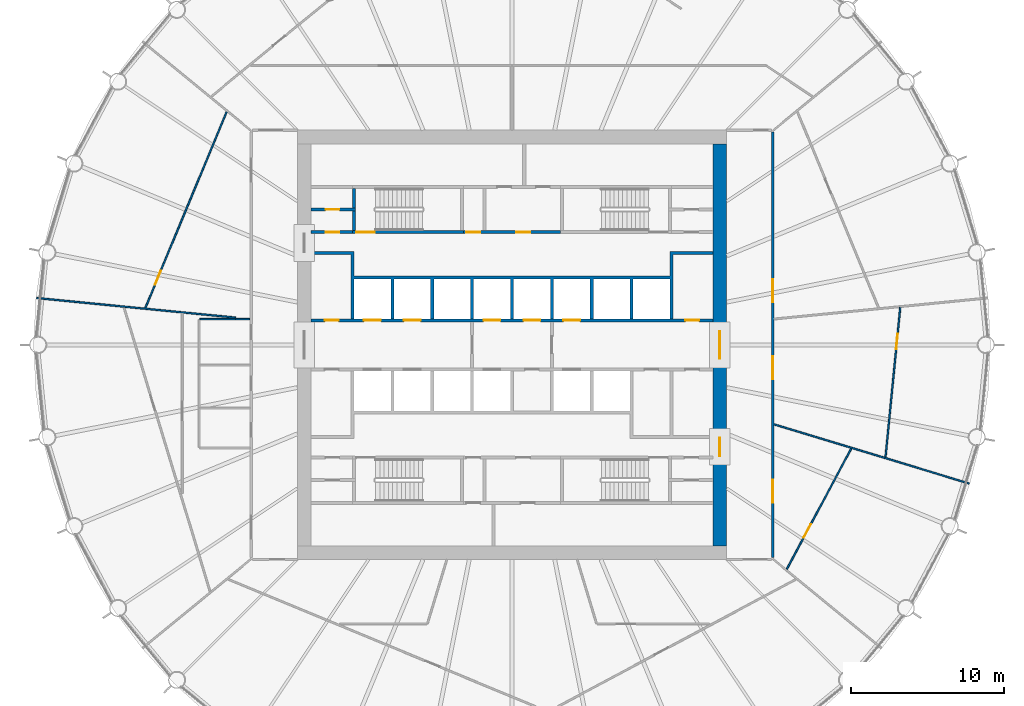
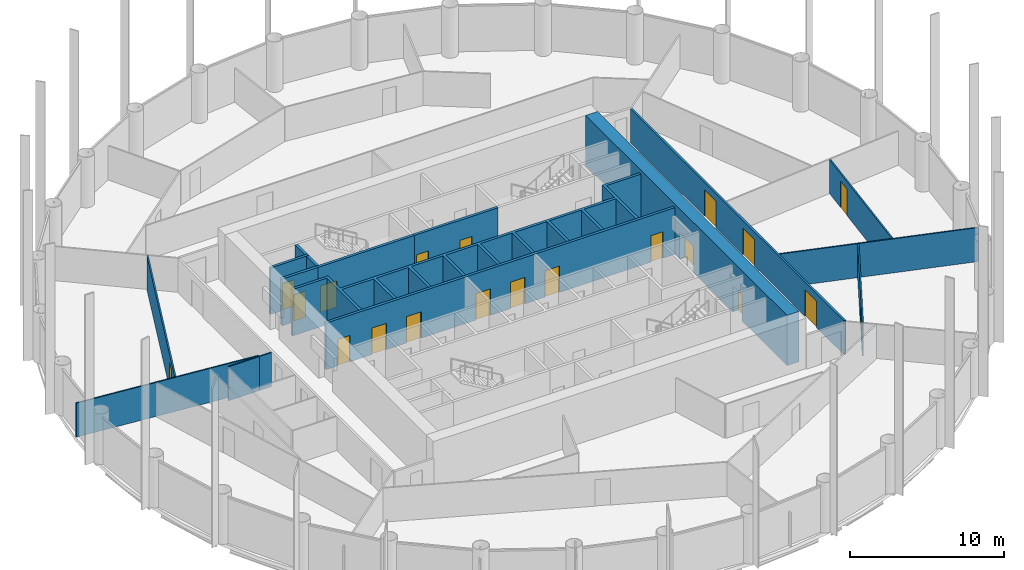
# One storey, part 6 of 9: 20 doors, 17 walls, 20 openings.
"""IFC4 building model written with IfcOpenShell, lengths in metres."""

from ifc_helpers import new_model, si_unit, direction, frame, frame_2d, origin, place, context, subcontext, project, spatial, polyline, rectangle, outline, extrude, material, layer, layer_set, type_object, element, fill, save


model = new_model("IFC4")

# Units and contexts
model_context = context("Model", 3, precision=1e-05, world=origin(), true_north=direction((0.0, 1.0)))
body_context = subcontext(model_context, "Body", "Model", "MODEL_VIEW")
ifc_project = project(units=[si_unit("LENGTHUNIT", "METRE"), si_unit("AREAUNIT", "SQUARE_METRE"), si_unit("VOLUMEUNIT", "CUBIC_METRE"), si_unit("PLANEANGLEUNIT", "RADIAN"), si_unit("MASSUNIT", "GRAM", prefix="KILO")], contexts=[model_context])

# Site, building, storey
site_placement = place(None, origin())
site = spatial("IfcSite", under=ifc_project, at=site_placement, CompositionType="ELEMENT")
building_placement = place(site_placement, origin())
building = spatial("IfcBuilding", under=site, at=building_placement, Name="Corvane Civic Tower", CompositionType="ELEMENT")
storey_placement = place(building_placement, frame((0.0, 0.0, 188.0)))
storey = spatial("IfcBuildingStorey", under=building, at=storey_placement, Name="L44", CompositionType="ELEMENT", Elevation=188.0)

# Wall, openings, doors
ifc_material_1 = material(Name="Concrete C60/75", Category="concrete")
ifc_layer_1 = layer(ifc_material_1, 0.89990234375)
ifc_layer_set_1 = layer_set([ifc_layer_1], Name="Concrete C60/75")
wall_type_1 = type_object("IfcWallType", Name="CORE WALL 900 C60/75", PredefinedType="SHEAR", material=ifc_layer_set_1)
wall_1_placement = place(storey_placement, frame((13.550048828125, -13.10009765625, 0.0), z_axis=(0.0, 0.0, 1.0), x_axis=(0.0, 1.0, 0.0)))
wall_1 = element("IfcWall", 1, at=wall_1_placement, inside=storey, type_object=wall_type_1, Name="W-L44-core-E", PredefinedType="SHEAR", context=body_context, shape_type="SweptSolid", body=[
    extrude(rectangle(XDim=26.2001953125, YDim=0.89990234375, at=frame_2d((13.10009765625, 0.0))), origin(), (0.0, 0.0, 1.0), 4.0),
])
opening_1_placement = place(wall_1_placement, frame((12.199951171875, 0.0, 0.0)))
opening_1 = element("IfcOpeningElement", 2, at=opening_1_placement, cuts=wall_1, Name="Opening L44.C30", PredefinedType="OPENING", context=body_context, shape_type="SweptSolid", body=[
    extrude(rectangle(XDim=1.800048828125, YDim=2.10009765625, at=frame_2d((0.89990234375, 1.050048828125))), frame((0.0, 0.4599609375, 0.0), z_axis=(0.0, -1.0, 0.0), x_axis=(1.0, 0.0, 0.0)), (0.0, 0.0, 1.0), 0.919921875),
])
opening_2_placement = place(wall_1_placement, frame((5.85009765625, 0.0, 0.0)))
opening_2 = element("IfcOpeningElement", 3, at=opening_2_placement, cuts=wall_1, Name="Opening L44.C32", PredefinedType="OPENING", context=body_context, shape_type="SweptSolid", body=[
    extrude(rectangle(XDim=1.199951171875, YDim=2.10009765625, at=frame_2d((0.60009765625, 1.050048828125))), frame((0.0, 0.4599609375, 0.0), z_axis=(0.0, -1.0, 0.0), x_axis=(1.0, 0.0, 0.0)), (0.0, 0.0, 1.0), 0.919921875),
])
ifc_material_2 = material(Name="Steel fire door leaf", Category="steel")
door_type_1 = type_object("IfcDoorType", Name="CR-DOOR-CORE-1800", OperationType="DOUBLE_DOOR_SINGLE_SWING", PredefinedType="DOOR", material=ifc_material_2)
door_1_placement = place(opening_1_placement, origin())
door_1 = element("IfcDoor", 4, at=door_1_placement, inside=storey, type_object=door_type_1, Name="L44 door", OperationType="DOUBLE_DOOR_SINGLE_SWING", OverallHeight=2.10009765625, OverallWidth=1.800048828125, PredefinedType="DOOR", context=body_context, shape_type="SweptSolid", body=[
    extrude(rectangle(XDim=1.800048828125, YDim=2.10009765625, at=frame_2d((0.89990234375, 1.050048828125))), frame((0.0, 0.02490234375, 0.0), z_axis=(0.0, -1.0, 0.0), x_axis=(1.0, 0.0, 0.0)), (0.0, 0.0, 1.0), 0.050048828125),
])
fill(opening_1, door_1)
door_2_placement = place(opening_2_placement, origin())
door_2 = element("IfcDoor", 5, at=door_2_placement, inside=storey, type_object=door_type_1, Name="L44 door", OperationType="DOUBLE_DOOR_SINGLE_SWING", OverallHeight=2.10009765625, OverallWidth=1.199951171875, PredefinedType="DOOR", context=body_context, shape_type="SweptSolid", body=[
    extrude(rectangle(XDim=1.199951171875, YDim=2.10009765625, at=frame_2d((0.60009765625, 1.050048828125))), frame((0.0, 0.02490234375, 0.0), z_axis=(0.0, -1.0, 0.0), x_axis=(1.0, 0.0, 0.0)), (0.0, 0.0, 1.0), 0.050048828125),
])
fill(opening_2, door_2)

ifc_material_3 = material(Name="Concrete C30/37", Category="concrete")
ifc_layer_2 = layer(ifc_material_3, 0.199951171875)
ifc_layer_set_2 = layer_set([ifc_layer_2], Name="Concrete C30/37")
wall_type_2 = type_object("IfcWallType", Name="CR-WALL-200", PredefinedType="PARTITIONING", material=ifc_layer_set_2)
wall_2_placement = place(storey_placement, frame((-13.10009765625, 1.60009765625, 0.0), z_axis=(0.0, 0.0, 1.0), x_axis=(1.0, 0.0, 0.0)))
wall_2 = element("IfcWall", 6, at=wall_2_placement, inside=storey, type_object=wall_type_2, Name="L44 lift shaft wall", PredefinedType="PARTITIONING", context=body_context, shape_type="SweptSolid", body=[
    extrude(rectangle(XDim=26.2001953125, YDim=0.199951171875, at=frame_2d((13.10009765625, 0.0))), origin(), (0.0, 0.0, 1.0), 3.699951171875),
])
opening_3_placement = place(wall_2_placement, frame((3.449951171875, 0.0, 0.0)))
opening_3 = element("IfcOpeningElement", 7, at=opening_3_placement, cuts=wall_2, Name="Opening LD", PredefinedType="OPENING", context=body_context, shape_type="SweptSolid", body=[
    extrude(rectangle(XDim=1.10009765625, YDim=2.10009765625, at=frame_2d((0.550048828125, 1.050048828125))), frame((0.0, 0.10986328125, 0.0), z_axis=(0.0, -1.0, 0.0), x_axis=(1.0, 0.0, 0.0)), (0.0, 0.0, 1.0), 0.219970703125),
])
opening_4_placement = place(wall_2_placement, frame((6.050048828125, 0.0, 0.0)))
opening_4 = element("IfcOpeningElement", 8, at=opening_4_placement, cuts=wall_2, Name="Opening LD", PredefinedType="OPENING", context=body_context, shape_type="SweptSolid", body=[
    extrude(rectangle(XDim=1.10009765625, YDim=2.10009765625, at=frame_2d((0.550048828125, 1.050048828125))), frame((0.0, 0.10986328125, 0.0), z_axis=(0.0, -1.0, 0.0), x_axis=(1.0, 0.0, 0.0)), (0.0, 0.0, 1.0), 0.219970703125),
])
opening_5_placement = place(wall_2_placement, frame((11.25, 0.0, 0.0)))
opening_5 = element("IfcOpeningElement", 9, at=opening_5_placement, cuts=wall_2, Name="Opening LD", PredefinedType="OPENING", context=body_context, shape_type="SweptSolid", body=[
    extrude(rectangle(XDim=1.10009765625, YDim=2.10009765625, at=frame_2d((0.550048828125, 1.050048828125))), frame((0.0, 0.10986328125, 0.0), z_axis=(0.0, -1.0, 0.0), x_axis=(1.0, 0.0, 0.0)), (0.0, 0.0, 1.0), 0.219970703125),
])
opening_6_placement = place(wall_2_placement, frame((13.85009765625, 0.0, 0.0)))
opening_6 = element("IfcOpeningElement", 10, at=opening_6_placement, cuts=wall_2, Name="Opening LD", PredefinedType="OPENING", context=body_context, shape_type="SweptSolid", body=[
    extrude(rectangle(XDim=1.10009765625, YDim=2.10009765625, at=frame_2d((0.550048828125, 1.050048828125))), frame((0.0, 0.10986328125, 0.0), z_axis=(0.0, -1.0, 0.0), x_axis=(1.0, 0.0, 0.0)), (0.0, 0.0, 1.0), 0.219970703125),
])
opening_7_placement = place(wall_2_placement, frame((16.449951171875, 0.0, 0.0)))
opening_7 = element("IfcOpeningElement", 11, at=opening_7_placement, cuts=wall_2, Name="Opening LD", PredefinedType="OPENING", context=body_context, shape_type="SweptSolid", body=[
    extrude(rectangle(XDim=1.10009765625, YDim=2.10009765625, at=frame_2d((0.550048828125, 1.050048828125))), frame((0.0, 0.10986328125, 0.0), z_axis=(0.0, -1.0, 0.0), x_axis=(1.0, 0.0, 0.0)), (0.0, 0.0, 1.0), 0.219970703125),
])
opening_8_placement = place(wall_2_placement, frame((0.89990234375, 0.0, 0.0)))
opening_8 = element("IfcOpeningElement", 12, at=opening_8_placement, cuts=wall_2, Name="Opening L44.C01", PredefinedType="OPENING", context=body_context, shape_type="SweptSolid", body=[
    extrude(rectangle(XDim=0.89990234375, YDim=2.10009765625, at=frame_2d((0.449951171875, 1.050048828125))), frame((0.0, 0.10986328125, 0.0), z_axis=(0.0, -1.0, 0.0), x_axis=(1.0, 0.0, 0.0)), (0.0, 0.0, 1.0), 0.219970703125),
])
opening_9_placement = place(wall_2_placement, frame((24.39990234375, 0.0, 0.0)))
opening_9 = element("IfcOpeningElement", 13, at=opening_9_placement, cuts=wall_2, Name="Opening L44.C02", PredefinedType="OPENING", context=body_context, shape_type="SweptSolid", body=[
    extrude(rectangle(XDim=0.89990234375, YDim=2.10009765625, at=frame_2d((0.449951171875, 1.050048828125))), frame((0.0, 0.10986328125, 0.0), z_axis=(0.0, -1.0, 0.0), x_axis=(1.0, 0.0, 0.0)), (0.0, 0.0, 1.0), 0.219970703125),
])
ifc_material_4 = material(Name="Steel fire door leaf", Category="steel")
door_type_2 = type_object("IfcDoorType", Name="CR-DOOR-900", OperationType="SINGLE_SWING_LEFT", PredefinedType="DOOR", material=ifc_material_4)
door_3_placement = place(opening_8_placement, origin())
door_3 = element("IfcDoor", 14, at=door_3_placement, inside=storey, type_object=door_type_2, Name="L44 door", OperationType="SINGLE_SWING_LEFT", OverallHeight=2.10009765625, OverallWidth=0.89990234375, PredefinedType="DOOR", context=body_context, shape_type="SweptSolid", body=[
    extrude(rectangle(XDim=0.89990234375, YDim=2.10009765625, at=frame_2d((0.449951171875, 1.050048828125))), frame((0.0, 0.02490234375, 0.0), z_axis=(0.0, -1.0, 0.0), x_axis=(1.0, 0.0, 0.0)), (0.0, 0.0, 1.0), 0.050048828125),
])
fill(opening_8, door_3)
door_4_placement = place(opening_9_placement, origin())
door_4 = element("IfcDoor", 15, at=door_4_placement, inside=storey, type_object=door_type_2, Name="L44 door", OperationType="SINGLE_SWING_LEFT", OverallHeight=2.10009765625, OverallWidth=0.89990234375, PredefinedType="DOOR", context=body_context, shape_type="SweptSolid", body=[
    extrude(rectangle(XDim=0.89990234375, YDim=2.10009765625, at=frame_2d((0.449951171875, 1.050048828125))), frame((0.0, 0.02490234375, 0.0), z_axis=(0.0, -1.0, 0.0), x_axis=(1.0, 0.0, 0.0)), (0.0, 0.0, 1.0), 0.050048828125),
])
fill(opening_9, door_4)
ifc_material_5 = material(Name="Stainless steel 316 door leaves", Category="steel")
door_type_3 = type_object("IfcDoorType", Name="LD", OperationType="DOUBLE_DOOR_SLIDING", PredefinedType="DOOR", material=ifc_material_5)
door_5_placement = place(opening_3_placement, origin())
door_5 = element("IfcDoor", 16, at=door_5_placement, inside=storey, type_object=door_type_3, Name="L44 landing door", OperationType="DOUBLE_DOOR_SLIDING", OverallHeight=2.10009765625, OverallWidth=1.10009765625, PredefinedType="DOOR", context=body_context, shape_type="SweptSolid", body=[
    extrude(rectangle(XDim=1.10009765625, YDim=2.10009765625, at=frame_2d((0.550048828125, 1.050048828125))), frame((0.0, 0.02490234375, 0.0), z_axis=(0.0, -1.0, 0.0), x_axis=(1.0, 0.0, 0.0)), (0.0, 0.0, 1.0), 0.050048828125),
])
fill(opening_3, door_5)
door_6_placement = place(opening_4_placement, origin())
door_6 = element("IfcDoor", 17, at=door_6_placement, inside=storey, type_object=door_type_3, Name="L44 landing door", OperationType="DOUBLE_DOOR_SLIDING", OverallHeight=2.10009765625, OverallWidth=1.10009765625, PredefinedType="DOOR", context=body_context, shape_type="SweptSolid", body=[
    extrude(rectangle(XDim=1.10009765625, YDim=2.10009765625, at=frame_2d((0.550048828125, 1.050048828125))), frame((0.0, 0.02490234375, 0.0), z_axis=(0.0, -1.0, 0.0), x_axis=(1.0, 0.0, 0.0)), (0.0, 0.0, 1.0), 0.050048828125),
])
fill(opening_4, door_6)
door_7_placement = place(opening_5_placement, origin())
door_7 = element("IfcDoor", 18, at=door_7_placement, inside=storey, type_object=door_type_3, Name="L44 landing door", OperationType="DOUBLE_DOOR_SLIDING", OverallHeight=2.10009765625, OverallWidth=1.10009765625, PredefinedType="DOOR", context=body_context, shape_type="SweptSolid", body=[
    extrude(rectangle(XDim=1.10009765625, YDim=2.10009765625, at=frame_2d((0.550048828125, 1.050048828125))), frame((0.0, 0.02490234375, 0.0), z_axis=(0.0, -1.0, 0.0), x_axis=(1.0, 0.0, 0.0)), (0.0, 0.0, 1.0), 0.050048828125),
])
fill(opening_5, door_7)
door_8_placement = place(opening_6_placement, origin())
door_8 = element("IfcDoor", 19, at=door_8_placement, inside=storey, type_object=door_type_3, Name="L44 landing door", OperationType="DOUBLE_DOOR_SLIDING", OverallHeight=2.10009765625, OverallWidth=1.10009765625, PredefinedType="DOOR", context=body_context, shape_type="SweptSolid", body=[
    extrude(rectangle(XDim=1.10009765625, YDim=2.10009765625, at=frame_2d((0.550048828125, 1.050048828125))), frame((0.0, 0.02490234375, 0.0), z_axis=(0.0, -1.0, 0.0), x_axis=(1.0, 0.0, 0.0)), (0.0, 0.0, 1.0), 0.050048828125),
])
fill(opening_6, door_8)
door_9_placement = place(opening_7_placement, origin())
door_9 = element("IfcDoor", 20, at=door_9_placement, inside=storey, type_object=door_type_3, Name="L44 landing door", OperationType="DOUBLE_DOOR_SLIDING", OverallHeight=2.10009765625, OverallWidth=1.10009765625, PredefinedType="DOOR", context=body_context, shape_type="SweptSolid", body=[
    extrude(rectangle(XDim=1.10009765625, YDim=2.10009765625, at=frame_2d((0.550048828125, 1.050048828125))), frame((0.0, 0.02490234375, 0.0), z_axis=(0.0, -1.0, 0.0), x_axis=(1.0, 0.0, 0.0)), (0.0, 0.0, 1.0), 0.050048828125),
])
fill(opening_7, door_9)

# Wall, opening, door
wall_3_placement = place(storey_placement, frame((-13.10009765625, 7.35009765625, 0.0), z_axis=(0.0, 0.0, 1.0), x_axis=(1.0, 0.0, 0.0)))
wall_3 = element("IfcWall", 21, at=wall_3_placement, inside=storey, type_object=wall_type_2, Name="L44 core partition wall", PredefinedType="PARTITIONING", context=body_context, shape_type="SweptSolid", body=[
    extrude(rectangle(XDim=2.7001953125, YDim=0.199951171875, at=frame_2d((1.35009765625, 0.0))), origin(), (0.0, 0.0, 1.0), 3.699951171875),
])
opening_10_placement = place(wall_3_placement, frame((0.949951171875, 0.0, 0.0)))
opening_10 = element("IfcOpeningElement", 22, at=opening_10_placement, cuts=wall_3, Name="Opening L44.C15", PredefinedType="OPENING", context=body_context, shape_type="SweptSolid", body=[
    extrude(rectangle(XDim=0.89990234375, YDim=2.10009765625, at=frame_2d((0.449951171875, 1.050048828125))), frame((0.0, 0.10986328125, 0.0), z_axis=(0.0, -1.0, 0.0), x_axis=(1.0, 0.0, 0.0)), (0.0, 0.0, 1.0), 0.219970703125),
])
door_10_placement = place(opening_10_placement, origin())
door_10 = element("IfcDoor", 23, at=door_10_placement, inside=storey, type_object=door_type_2, Name="L44 door", OperationType="SINGLE_SWING_LEFT", OverallHeight=2.10009765625, OverallWidth=0.89990234375, PredefinedType="DOOR", context=body_context, shape_type="SweptSolid", body=[
    extrude(rectangle(XDim=0.89990234375, YDim=2.10009765625, at=frame_2d((0.449951171875, 1.050048828125))), frame((0.0, 0.02490234375, 0.0), z_axis=(0.0, -1.0, 0.0), x_axis=(1.0, 0.0, 0.0)), (0.0, 0.0, 1.0), 0.050048828125),
])
fill(opening_10, door_10)

# Wall, openings, doors
wall_4_placement = place(storey_placement, frame((-3.14990234375, 7.35009765625, 0.0), z_axis=(0.0, 0.0, 1.0), x_axis=(1.0, 0.0, 0.0)))
wall_4 = element("IfcWall", 24, at=wall_4_placement, inside=storey, type_object=wall_type_2, Name="L44 core partition wall", PredefinedType="PARTITIONING", context=body_context, shape_type="SweptSolid", body=[
    extrude(rectangle(XDim=6.2998046875, YDim=0.199951171875, at=frame_2d((3.14990234375, 0.0))), origin(), (0.0, 0.0, 1.0), 3.699951171875),
])
opening_11_placement = place(wall_4_placement, frame((0.175048828125, 0.0, 0.0)))
opening_11 = element("IfcOpeningElement", 25, at=opening_11_placement, cuts=wall_4, Name="Opening L44.C07", PredefinedType="OPENING", context=body_context, shape_type="SweptSolid", body=[
    extrude(rectangle(XDim=0.89990234375, YDim=2.10009765625, at=frame_2d((0.449951171875, 1.050048828125))), frame((0.0, 0.10986328125, 0.0), z_axis=(0.0, -1.0, 0.0), x_axis=(1.0, 0.0, 0.0)), (0.0, 0.0, 1.0), 0.219970703125),
])
opening_12_placement = place(wall_4_placement, frame((3.425048828125, 0.0, 0.0)))
opening_12 = element("IfcOpeningElement", 26, at=opening_12_placement, cuts=wall_4, Name="Opening L44.C08", PredefinedType="OPENING", context=body_context, shape_type="SweptSolid", body=[
    extrude(rectangle(XDim=0.89990234375, YDim=2.10009765625, at=frame_2d((0.449951171875, 1.050048828125))), frame((0.0, 0.10986328125, 0.0), z_axis=(0.0, -1.0, 0.0), x_axis=(1.0, 0.0, 0.0)), (0.0, 0.0, 1.0), 0.219970703125),
])
door_11_placement = place(opening_11_placement, origin())
door_11 = element("IfcDoor", 27, at=door_11_placement, inside=storey, type_object=door_type_2, Name="L44 door", OperationType="SINGLE_SWING_LEFT", OverallHeight=2.10009765625, OverallWidth=0.89990234375, PredefinedType="DOOR", context=body_context, shape_type="SweptSolid", body=[
    extrude(rectangle(XDim=0.89990234375, YDim=2.10009765625, at=frame_2d((0.449951171875, 1.050048828125))), frame((0.0, 0.02490234375, 0.0), z_axis=(0.0, -1.0, 0.0), x_axis=(1.0, 0.0, 0.0)), (0.0, 0.0, 1.0), 0.050048828125),
])
fill(opening_11, door_11)
door_12_placement = place(opening_12_placement, origin())
door_12 = element("IfcDoor", 28, at=door_12_placement, inside=storey, type_object=door_type_2, Name="L44 door", OperationType="SINGLE_SWING_LEFT", OverallHeight=2.10009765625, OverallWidth=0.89990234375, PredefinedType="DOOR", context=body_context, shape_type="SweptSolid", body=[
    extrude(rectangle(XDim=0.89990234375, YDim=2.10009765625, at=frame_2d((0.449951171875, 1.050048828125))), frame((0.0, 0.02490234375, 0.0), z_axis=(0.0, -1.0, 0.0), x_axis=(1.0, 0.0, 0.0)), (0.0, 0.0, 1.0), 0.050048828125),
])
fill(opening_12, door_12)

# Wall, opening, door
wall_5_placement = place(storey_placement, frame((-13.10009765625, 8.824951171875, 0.0), z_axis=(0.0, 0.0, 1.0), x_axis=(1.0, 0.0, 0.0)))
wall_5 = element("IfcWall", 29, at=wall_5_placement, inside=storey, type_object=wall_type_2, Name="L44 partition wall", PredefinedType="PARTITIONING", context=body_context, shape_type="SweptSolid", body=[
    extrude(rectangle(XDim=2.900146484375, YDim=0.199951171875, at=frame_2d((1.4501953125, 0.0))), origin(), (0.0, 0.0, 1.0), 3.699951171875),
])
opening_13_placement = place(wall_5_placement, frame((0.949951171875, 0.0, 0.0)))
opening_13 = element("IfcOpeningElement", 30, at=opening_13_placement, cuts=wall_5, Name="Opening L44.C16", PredefinedType="OPENING", context=body_context, shape_type="SweptSolid", body=[
    extrude(rectangle(XDim=0.89990234375, YDim=2.10009765625, at=frame_2d((0.449951171875, 1.050048828125))), frame((0.0, 0.10986328125, 0.0), z_axis=(0.0, -1.0, 0.0), x_axis=(1.0, 0.0, 0.0)), (0.0, 0.0, 1.0), 0.219970703125),
])
door_13_placement = place(opening_13_placement, origin())
door_13 = element("IfcDoor", 31, at=door_13_placement, inside=storey, type_object=door_type_2, Name="L44 door", OperationType="SINGLE_SWING_LEFT", OverallHeight=2.10009765625, OverallWidth=0.89990234375, PredefinedType="DOOR", context=body_context, shape_type="SweptSolid", body=[
    extrude(rectangle(XDim=0.89990234375, YDim=2.10009765625, at=frame_2d((0.449951171875, 1.050048828125))), frame((0.0, 0.02490234375, 0.0), z_axis=(0.0, -1.0, 0.0), x_axis=(1.0, 0.0, 0.0)), (0.0, 0.0, 1.0), 0.050048828125),
])
fill(opening_13, door_13)

# Wall
wall_6_placement = place(storey_placement, origin())
element("IfcWall", 32, at=wall_6_placement, inside=storey, type_object=wall_type_2, Name="L44 core partition wall", PredefinedType="PARTITIONING", context=body_context, shape_type="SweptSolid", body=[
    extrude(outline(polyline([(-7.699951171875, 1.699951171875), (-7.89990234375, 1.699951171875), (-7.89990234375, 4.300048828125), (-10.300048828125, 4.300048828125), (-10.300048828125, 1.699951171875), (-10.5, 1.699951171875), (-10.5, 5.89990234375), (-13.10009765625, 5.89990234375), (-13.10009765625, 6.10009765625), (-10.300048828125, 6.10009765625), (-10.300048828125, 4.5), (10.300048828125, 4.5), (10.300048828125, 6.10009765625), (13.10009765625, 6.10009765625), (13.10009765625, 5.89990234375), (10.5, 5.89990234375), (10.5, 1.699951171875), (10.300048828125, 1.699951171875), (10.300048828125, 4.300048828125), (7.89990234375, 4.300048828125), (7.89990234375, 1.699951171875), (7.699951171875, 1.699951171875), (7.699951171875, 4.300048828125), (5.300048828125, 4.300048828125), (5.300048828125, 1.699951171875), (5.10009765625, 1.699951171875), (5.10009765625, 4.300048828125), (2.699951171875, 4.300048828125), (2.699951171875, 1.699951171875), (2.5, 1.699951171875), (2.5, 4.300048828125), (0.10009765625, 4.300048828125), (0.10009765625, 1.699951171875), (-0.10009765625, 1.699951171875), (-0.10009765625, 4.300048828125), (-2.5, 4.300048828125), (-2.5, 1.699951171875), (-2.699951171875, 1.699951171875), (-2.699951171875, 4.300048828125), (-5.10009765625, 4.300048828125), (-5.10009765625, 1.699951171875), (-5.300048828125, 1.699951171875), (-5.300048828125, 4.300048828125), (-7.699951171875, 4.300048828125), (-7.699951171875, 1.699951171875)])), origin(), (0.0, 0.0, 1.0), 3.699951171875),
])

# Wall, opening, door
ifc_material_6 = material(Name="Plasterboard")
ifc_layer_3 = layer(ifc_material_6, 0.10009765625)
ifc_layer_set_3 = layer_set([ifc_layer_3], Name="Plasterboard")
wall_type_3 = type_object("IfcWallType", Name="Partition 100 plasterboard on studs", PredefinedType="PARTITIONING", material=ifc_layer_set_3)
wall_7_placement = place(storey_placement, frame((17.91650390625, -14.62646484375, 0.0), z_axis=(0.0, 0.0, 1.0), x_axis=(0.471408881641, 0.881914772702, 0.0)))
wall_7 = element("IfcWall", 33, at=wall_7_placement, inside=storey, type_object=wall_type_3, Name="Partition L44.011", PredefinedType="PARTITIONING", context=body_context, shape_type="SweptSolid", body=[
    extrude(rectangle(XDim=8.9072265625, YDim=0.10009765625, at=frame_2d((4.45361328125, 0.0))), origin(), (0.0, 0.0, 1.0), 2.699951171875),
])
opening_14_placement = place(wall_7_placement, frame((2.319091796875, 0.0, 0.0)))
opening_14 = element("IfcOpeningElement", 34, at=opening_14_placement, cuts=wall_7, Name="Opening L44.016", PredefinedType="OPENING", context=body_context, shape_type="SweptSolid", body=[
    extrude(rectangle(XDim=1.0, YDim=2.10009765625, at=frame_2d((0.5, 1.050048828125))), frame((0.0, 0.06005859375, 0.0), z_axis=(0.0, -1.0, 0.0), x_axis=(1.0, 0.0, 0.0)), (0.0, 0.0, 1.0), 0.1201171875),
])
ifc_material_7 = material(Name="Timber", Category="wood")
door_type_4 = type_object("IfcDoorType", Name="Single door 1000", OperationType="NOTDEFINED", PredefinedType="DOOR", material=ifc_material_7)
door_14_placement = place(opening_14_placement, frame((1.0, 0.0, 0.0), z_axis=(0.0, 0.0, 1.0), x_axis=(-1.0, 0.0, 0.0)))
door_14 = element("IfcDoor", 35, at=door_14_placement, inside=storey, type_object=door_type_4, Name="Door L44.016", OperationType="SINGLE_SWING_RIGHT", OverallHeight=2.10009765625, OverallWidth=1.0, PredefinedType="DOOR", context=body_context, shape_type="SweptSolid", body=[
    extrude(rectangle(XDim=1.0, YDim=2.10009765625, at=frame_2d((0.5, 1.050048828125))), frame((0.0, 0.02490234375, 0.0), z_axis=(0.0, -1.0, 0.0), x_axis=(1.0, 0.0, 0.0)), (0.0, 0.0, 1.0), 0.050048828125),
])
fill(opening_14, door_14)

# Wall
wall_8_placement = place(storey_placement, frame((17.089599609375, -5.18408203125, 0.0), z_axis=(0.0, 0.0, 1.0), x_axis=(0.956939088308, -0.290288789428, 0.0)))
element("IfcWall", 36, at=wall_8_placement, inside=storey, type_object=wall_type_3, Name="Partition L44.018", PredefinedType="PARTITIONING", context=body_context, shape_type="SweptSolid", body=[
    extrude(rectangle(XDim=13.29150390625, YDim=0.10009765625, at=frame_2d((6.645751953125, 0.0))), origin(), (0.0, 0.0, 1.0), 2.699951171875),
])

# Wall, opening, door
wall_9_placement = place(storey_placement, frame((24.353759765625, -7.3251953125, 0.0), z_axis=(0.0, 0.0, 1.0), x_axis=(0.09802207489, 0.995184240648, 0.0)))
wall_9 = element("IfcWall", 37, at=wall_9_placement, inside=storey, type_object=wall_type_3, Name="Partition L44.019", PredefinedType="PARTITIONING", context=body_context, shape_type="SweptSolid", body=[
    extrude(rectangle(XDim=9.8056640625, YDim=0.10009765625, at=frame_2d((4.90283203125, 0.0))), origin(), (0.0, 0.0, 1.0), 2.699951171875),
])
opening_15_placement = place(wall_9_placement, frame((7.084228515625, 0.0, 0.0)))
opening_15 = element("IfcOpeningElement", 38, at=opening_15_placement, cuts=wall_9, Name="Opening L44.014", PredefinedType="OPENING", context=body_context, shape_type="SweptSolid", body=[
    extrude(rectangle(XDim=1.0, YDim=2.10009765625, at=frame_2d((0.5, 1.050048828125))), frame((0.0, 0.06005859375, 0.0), z_axis=(0.0, -1.0, 0.0), x_axis=(1.0, 0.0, 0.0)), (0.0, 0.0, 1.0), 0.1201171875),
])
door_15_placement = place(opening_15_placement, frame((1.0, 0.0, 0.0), z_axis=(0.0, 0.0, 1.0), x_axis=(-1.0, 0.0, 0.0)))
door_15 = element("IfcDoor", 39, at=door_15_placement, inside=storey, type_object=door_type_4, Name="Door L44.014", OperationType="SINGLE_SWING_LEFT", OverallHeight=2.10009765625, OverallWidth=1.0, PredefinedType="DOOR", context=body_context, shape_type="SweptSolid", body=[
    extrude(rectangle(XDim=1.0, YDim=2.10009765625, at=frame_2d((0.5, 1.050048828125))), frame((0.0, 0.02490234375, 0.0), z_axis=(0.0, -1.0, 0.0), x_axis=(1.0, 0.0, 0.0)), (0.0, 0.0, 1.0), 0.050048828125),
])
fill(opening_15, door_15)

# Walls
wall_10_placement = place(storey_placement, frame((-20.35009765625, 1.67431640625, 0.0), z_axis=(0.0, 0.0, 1.0), x_axis=(1.0, 0.0, 0.0)))
element("IfcWall", 40, at=wall_10_placement, inside=storey, type_object=wall_type_3, Name="Partition L44.024", PredefinedType="PARTITIONING", context=body_context, shape_type="SweptSolid", body=[
    extrude(rectangle(XDim=2.33203125, YDim=0.10009765625, at=frame_2d((1.166015625, 0.0))), origin(), (0.0, 0.0, 1.0), 2.699951171875),
])
wall_11_placement = place(storey_placement, frame((-31.000244140625, 3.05322265625, 0.0), z_axis=(0.0, 0.0, 1.0), x_axis=(0.995185183254, -0.098012504466, 0.0)))
element("IfcWall", 41, at=wall_11_placement, inside=storey, type_object=wall_type_3, Name="Partition L44.026", PredefinedType="PARTITIONING", context=body_context, shape_type="SweptSolid", body=[
    extrude(rectangle(XDim=13.0498046875, YDim=0.10009765625, at=frame_2d((6.52490234375, 0.0))), origin(), (0.0, 0.0, 1.0), 2.699951171875),
])

# Wall, opening, door
wall_12_placement = place(storey_placement, frame((-23.900146484375, 2.418701171875, 0.0), z_axis=(0.0, 0.0, 1.0), x_axis=(0.382690797322, 0.923876481812, 0.0)))
wall_12 = element("IfcWall", 42, at=wall_12_placement, inside=storey, type_object=wall_type_3, Name="Partition L44.027", PredefinedType="PARTITIONING", context=body_context, shape_type="SweptSolid", body=[
    extrude(rectangle(XDim=13.8232421875, YDim=0.10009765625, at=frame_2d((6.91162109375, 0.0))), origin(), (0.0, 0.0, 1.0), 2.699951171875),
])
opening_16_placement = place(wall_12_placement, frame((1.61669921875, 0.0, 0.0)))
opening_16 = element("IfcOpeningElement", 43, at=opening_16_placement, cuts=wall_12, Name="Opening L44.024", PredefinedType="OPENING", context=body_context, shape_type="SweptSolid", body=[
    extrude(rectangle(XDim=1.0, YDim=2.10009765625, at=frame_2d((0.5, 1.050048828125))), frame((0.0, 0.06005859375, 0.0), z_axis=(0.0, -1.0, 0.0), x_axis=(1.0, 0.0, 0.0)), (0.0, 0.0, 1.0), 0.1201171875),
])
door_16_placement = place(opening_16_placement, origin())
door_16 = element("IfcDoor", 44, at=door_16_placement, inside=storey, type_object=door_type_4, Name="Door L44.024", OperationType="SINGLE_SWING_LEFT", OverallHeight=2.10009765625, OverallWidth=1.0, PredefinedType="DOOR", context=body_context, shape_type="SweptSolid", body=[
    extrude(rectangle(XDim=1.0, YDim=2.10009765625, at=frame_2d((0.5, 1.050048828125))), frame((0.0, 0.02490234375, 0.0), z_axis=(0.0, -1.0, 0.0), x_axis=(1.0, 0.0, 0.0)), (0.0, 0.0, 1.0), 0.050048828125),
])
fill(opening_16, door_16)

# Wall
wall_13_placement = place(storey_placement, frame((-18.01806640625, 1.67529296875, 0.0), z_axis=(0.0, 0.0, 1.0), x_axis=(1.0, 0.0, 0.0)))
element("IfcWall", 45, at=wall_13_placement, inside=storey, type_object=wall_type_3, Name="Partition L44.044", PredefinedType="PARTITIONING", context=body_context, shape_type="SweptSolid", body=[
    extrude(rectangle(XDim=0.903076171875, YDim=0.10009765625, at=frame_2d((0.45166015625, 0.0))), origin(), (0.0, 0.0, 1.0), 2.699951171875),
])

# Wall, opening, door
ifc_material_8 = material(Name="Concrete C50/60", Category="concrete")
ifc_layer_4 = layer(ifc_material_8, 0.199951171875)
ifc_layer_set_4 = layer_set([ifc_layer_4], Name="Concrete C50/60")
wall_type_4 = type_object("IfcWallType", Name="ST-WALL-200", PredefinedType="SHEAR", material=ifc_layer_set_4)
wall_14_placement = place(storey_placement, frame((-10.39990234375, 7.35009765625, 0.0), z_axis=(0.0, 0.0, 1.0), x_axis=(1.0, 0.0, 0.0)))
wall_14 = element("IfcWall", 46, at=wall_14_placement, inside=storey, type_object=wall_type_4, Name="L44 stair enclosure wall", PredefinedType="SHEAR", context=body_context, shape_type="SweptSolid", body=[
    extrude(rectangle(XDim=7.25, YDim=0.199951171875, at=frame_2d((3.625, 0.0))), origin(), (0.0, 0.0, 1.0), 3.699951171875),
])
opening_17_placement = place(wall_14_placement, frame((0.25, 0.0, 0.0)))
opening_17 = element("IfcOpeningElement", 47, at=opening_17_placement, cuts=wall_14, Name="Opening L44.C24", PredefinedType="OPENING", context=body_context, shape_type="SweptSolid", body=[
    extrude(rectangle(XDim=1.199951171875, YDim=2.10009765625, at=frame_2d((0.60009765625, 1.050048828125))), frame((0.0, 0.10986328125, 0.0), z_axis=(0.0, -1.0, 0.0), x_axis=(1.0, 0.0, 0.0)), (0.0, 0.0, 1.0), 0.219970703125),
])
ifc_material_9 = material(Name="Steel fire door leaf", Category="steel")
door_type_5 = type_object("IfcDoorType", Name="ST-DOOR-1200", OperationType="SINGLE_SWING_RIGHT", PredefinedType="DOOR", material=ifc_material_9)
door_17_placement = place(opening_17_placement, origin())
door_17 = element("IfcDoor", 48, at=door_17_placement, inside=storey, type_object=door_type_5, Name="L44 stair door", OperationType="SINGLE_SWING_RIGHT", OverallHeight=2.10009765625, OverallWidth=1.199951171875, PredefinedType="DOOR", context=body_context, shape_type="SweptSolid", body=[
    extrude(rectangle(XDim=1.199951171875, YDim=2.10009765625, at=frame_2d((0.60009765625, 1.050048828125))), frame((0.0, 0.02490234375, 0.0), z_axis=(0.0, -1.0, 0.0), x_axis=(1.0, 0.0, 0.0)), (0.0, 0.0, 1.0), 0.050048828125),
])
fill(opening_17, door_17)

# Walls
wall_15_placement = place(storey_placement, origin())
element("IfcWall", 49, at=wall_15_placement, inside=storey, type_object=wall_type_4, Name="L44 stair enclosure wall", PredefinedType="SHEAR", context=body_context, shape_type="SweptSolid", body=[
    extrude(outline(polyline([(-10.199951171875, 8.72509765625), (-10.199951171875, 7.449951171875), (-10.39990234375, 7.449951171875), (-10.39990234375, 8.72509765625), (-10.199951171875, 8.72509765625)])), origin(), (0.0, 0.0, 1.0), 3.699951171875),
])
wall_16_placement = place(storey_placement, origin())
element("IfcWall", 50, at=wall_16_placement, inside=storey, type_object=wall_type_4, Name="L44 stair enclosure wall", PredefinedType="SHEAR", context=body_context, shape_type="SweptSolid", body=[
    extrude(outline(polyline([(-10.199951171875, 8.925048828125), (-10.39990234375, 8.925048828125), (-10.39990234375, 10.199951171875), (-10.199951171875, 10.199951171875), (-10.199951171875, 8.925048828125)])), origin(), (0.0, 0.0, 1.0), 3.699951171875),
])

# Wall, openings, doors
ifc_material_10 = material(Name="Plasterboard")
ifc_layer_5 = layer(ifc_material_10, 0.14990234375)
ifc_layer_set_5 = layer_set([ifc_layer_5], Name="Plasterboard")
wall_type_5 = type_object("IfcWallType", Name="Tenancy wall 150 EI 60", PredefinedType="PARTITIONING", material=ifc_layer_set_5)
wall_17_placement = place(storey_placement, frame((17.0, -13.87646484375, 0.0), z_axis=(0.0, 0.0, 1.0), x_axis=(0.0, 1.0, 0.0)))
wall_17 = element("IfcWall", 51, at=wall_17_placement, inside=storey, type_object=wall_type_5, Name="Partition L44.015", PredefinedType="PARTITIONING", context=body_context, shape_type="SweptSolid", body=[
    extrude(rectangle(XDim=27.7529296875, YDim=0.14990234375, at=frame_2d((13.87646484375, 0.0))), origin(), (0.0, 0.0, 1.0), 2.699951171875),
])
opening_18_placement = place(wall_17_placement, frame((16.66748046875, 0.0, 0.0)))
opening_18 = element("IfcOpeningElement", 52, at=opening_18_placement, cuts=wall_17, Name="Opening L44.013", PredefinedType="OPENING", context=body_context, shape_type="SweptSolid", body=[
    extrude(rectangle(XDim=1.5, YDim=2.10009765625, at=frame_2d((0.75, 1.050048828125))), frame((0.0, 0.0849609375, 0.0), z_axis=(0.0, -1.0, 0.0), x_axis=(1.0, 0.0, 0.0)), (0.0, 0.0, 1.0), 0.169921875),
])
opening_19_placement = place(wall_17_placement, frame((11.642578125, 0.0, 0.0)))
opening_19 = element("IfcOpeningElement", 53, at=opening_19_placement, cuts=wall_17, Name="Opening L44.015", PredefinedType="OPENING", context=body_context, shape_type="SweptSolid", body=[
    extrude(rectangle(XDim=1.5, YDim=2.10009765625, at=frame_2d((0.75, 1.050048828125))), frame((0.0, 0.0849609375, 0.0), z_axis=(0.0, -1.0, 0.0), x_axis=(1.0, 0.0, 0.0)), (0.0, 0.0, 1.0), 0.169921875),
])
opening_20_placement = place(wall_17_placement, frame((3.57080078125, 0.0, 0.0)))
opening_20 = element("IfcOpeningElement", 54, at=opening_20_placement, cuts=wall_17, Name="Opening L44.017", PredefinedType="OPENING", context=body_context, shape_type="SweptSolid", body=[
    extrude(rectangle(XDim=1.5, YDim=2.10009765625, at=frame_2d((0.75, 1.050048828125))), frame((0.0, 0.0849609375, 0.0), z_axis=(0.0, -1.0, 0.0), x_axis=(1.0, 0.0, 0.0)), (0.0, 0.0, 1.0), 0.169921875),
])
ifc_material_11 = material(Name="Steel and timber", Category="steel")
door_type_6 = type_object("IfcDoorType", Name="Fire door FD60 double 1500", OperationType="NOTDEFINED", PredefinedType="DOOR", material=ifc_material_11)
door_18_placement = place(opening_18_placement, frame((1.5, 0.0, 0.0), z_axis=(0.0, 0.0, 1.0), x_axis=(-1.0, 0.0, 0.0)))
door_18 = element("IfcDoor", 55, at=door_18_placement, inside=storey, type_object=door_type_6, Name="Door L44.013", OperationType="DOUBLE_DOOR_SINGLE_SWING", OverallHeight=2.10009765625, OverallWidth=1.5, PredefinedType="DOOR", context=body_context, shape_type="SweptSolid", body=[
    extrude(rectangle(XDim=1.5, YDim=2.10009765625, at=frame_2d((0.75, 1.050048828125))), frame((0.0, 0.02490234375, 0.0), z_axis=(0.0, -1.0, 0.0), x_axis=(1.0, 0.0, 0.0)), (0.0, 0.0, 1.0), 0.050048828125),
])
fill(opening_18, door_18)
door_19_placement = place(opening_19_placement, frame((1.5, 0.0, 0.0), z_axis=(0.0, 0.0, 1.0), x_axis=(-1.0, 0.0, 0.0)))
door_19 = element("IfcDoor", 56, at=door_19_placement, inside=storey, type_object=door_type_6, Name="Door L44.015", OperationType="DOUBLE_DOOR_SINGLE_SWING", OverallHeight=2.10009765625, OverallWidth=1.5, PredefinedType="DOOR", context=body_context, shape_type="SweptSolid", body=[
    extrude(rectangle(XDim=1.5, YDim=2.10009765625, at=frame_2d((0.75, 1.050048828125))), frame((0.0, 0.02490234375, 0.0), z_axis=(0.0, -1.0, 0.0), x_axis=(1.0, 0.0, 0.0)), (0.0, 0.0, 1.0), 0.050048828125),
])
fill(opening_19, door_19)
door_20_placement = place(opening_20_placement, frame((1.5, 0.0, 0.0), z_axis=(0.0, 0.0, 1.0), x_axis=(-1.0, 0.0, 0.0)))
door_20 = element("IfcDoor", 57, at=door_20_placement, inside=storey, type_object=door_type_6, Name="Door L44.017", OperationType="DOUBLE_DOOR_SINGLE_SWING", OverallHeight=2.10009765625, OverallWidth=1.5, PredefinedType="DOOR", context=body_context, shape_type="SweptSolid", body=[
    extrude(rectangle(XDim=1.5, YDim=2.10009765625, at=frame_2d((0.75, 1.050048828125))), frame((0.0, 0.02490234375, 0.0), z_axis=(0.0, -1.0, 0.0), x_axis=(1.0, 0.0, 0.0)), (0.0, 0.0, 1.0), 0.050048828125),
])
fill(opening_20, door_20)

save(model, "model.ifc")
